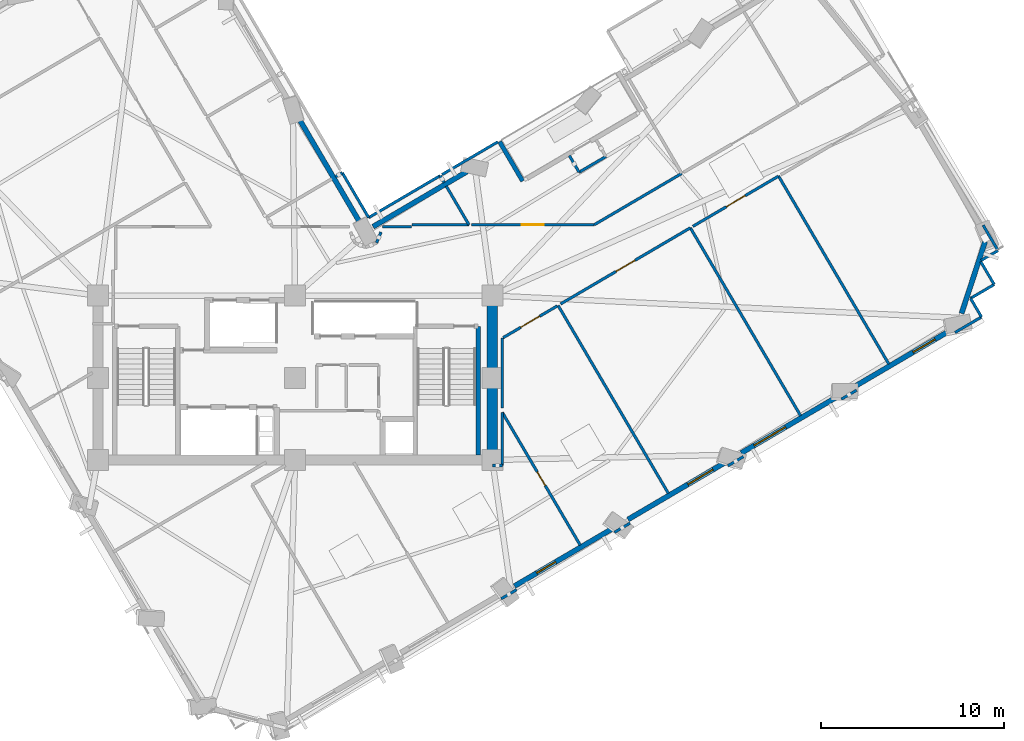
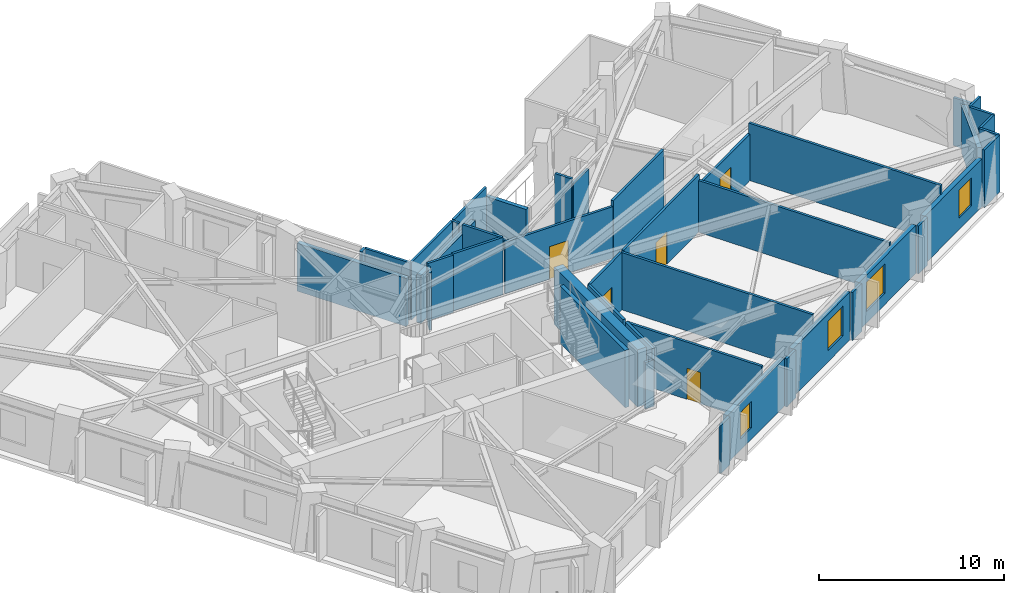
# One storey, part 6 of 12: 43 walls, 5 doors, 4 windows, 9 openings.
"""IFC4 building model written with IfcOpenShell, lengths in metres."""

from ifc_helpers import new_model, si_unit, direction, frame, frame_2d, origin, place, context, subcontext, project, spatial, rectangle, extrude, material, layer, layer_set, type_object, element, fill, save


model = new_model("IFC4")

# Units and contexts
model_context = context("Model", 3, precision=1e-05, world=origin(), true_north=direction((0.0, 1.0)))
body_context = subcontext(model_context, "Body", "Model", "MODEL_VIEW")
ifc_project = project(units=[si_unit("LENGTHUNIT", "METRE"), si_unit("AREAUNIT", "SQUARE_METRE"), si_unit("VOLUMEUNIT", "CUBIC_METRE"), si_unit("PLANEANGLEUNIT", "RADIAN"), si_unit("MASSUNIT", "GRAM", prefix="KILO")], contexts=[model_context])

# Site, building, storey
site_placement = place(None, origin())
site = spatial("IfcSite", under=ifc_project, at=site_placement, CompositionType="ELEMENT")
building_placement = place(site_placement, origin())
building = spatial("IfcBuilding", under=site, at=building_placement, Name="Gaonmaruhae Medical Tower", CompositionType="ELEMENT")
storey_placement = place(building_placement, frame((0.0, 0.0, 153.800048828125)))
storey = spatial("IfcBuildingStorey", under=building, at=storey_placement, Name="L36", CompositionType="ELEMENT", Elevation=153.800048828125)

# Walls
ifc_material_1 = material(Name="Concrete C50/60", Category="concrete")
ifc_layer_1 = layer(ifc_material_1, 0.550048828125)
ifc_layer_set_1 = layer_set([ifc_layer_1], Name="Concrete C50/60")
wall_type_1 = type_object("IfcWallType", Name="CW-550 Mid-High Core Shear Wall", PredefinedType="SHEAR", material=ifc_layer_set_1)
wall_1_placement = place(storey_placement, frame((35.60009765625, 7.800048828125, 0.0), z_axis=(0.0, 0.0, 1.0), x_axis=(0.0, 1.0, 0.0)))
element("IfcWall", 1, at=wall_1_placement, inside=storey, type_object=wall_type_1, Name="L36 Core Shear Wall CSW-E1", PredefinedType="SHEAR", context=body_context, shape_type="SweptSolid", body=[
    extrude(rectangle(XDim=9.0, YDim=0.550048828125, at=frame_2d((4.5, 0.0))), origin(), (0.0, 0.0, 1.0), 3.780029296875),
])
ifc_material_2 = material(Name="Precast concrete C45/55", Category="concrete")
ifc_layer_2 = layer(ifc_material_2, 0.239990234375)
ifc_layer_set_2 = layer_set([ifc_layer_2], Name="Precast concrete C45/55")
wall_type_2 = type_object("IfcWallType", Name="EW-240 Ribbon & Shelter Insulated Precast Wall", PredefinedType="SOLIDWALL", material=ifc_layer_set_2)
wall_2_placement = place(storey_placement, frame((36.000244140625, 25.234375, 0.0), z_axis=(0.0, 0.0, 1.0), x_axis=(0.506012674175, -0.862526042259, 0.0)))
element("IfcWall", 2, at=wall_2_placement, inside=storey, type_object=wall_type_2, Name="L36 Recessed Terrace Enclosure Wall TERL", PredefinedType="SOLIDWALL", context=body_context, shape_type="SweptSolid", body=[
    extrude(rectangle(XDim=2.500244140625, YDim=0.239990234375, at=frame_2d((1.25, 0.0))), origin(), (0.0, 0.0, 1.0), 3.1650390625),
])

# Wall, opening, window
ifc_layer_3 = layer(ifc_material_2, 0.280029296875)
ifc_layer_set_3 = layer_set([ifc_layer_3], Name="Precast concrete C45/55")
wall_type_3 = type_object("IfcWallType", Name="EW-280 Upper Precast Masonry-Frame Facade Wall", PredefinedType="SOLIDWALL", material=ifc_layer_set_3)
wall_3_placement = place(storey_placement, frame((42.17578125, 4.03466796875, 0.0), z_axis=(0.0, 0.0, 1.0), x_axis=(-0.862519418653, -0.5060239643, 0.0)))
wall_3 = element("IfcWall", 3, at=wall_3_placement, inside=storey, type_object=wall_type_3, Name="L36 Precast Masonry-Frame Wall S03-S04", PredefinedType="SOLIDWALL", context=body_context, shape_type="SweptSolid", body=[
    extrude(rectangle(XDim=6.214111328125, YDim=0.280029296875, at=frame_2d((3.10693359375, 0.0))), origin(), (0.0, 0.0, 1.0), 3.1650390625),
])
opening_1_placement = place(wall_3_placement, frame((3.597412109375, 0.0, 0.75)))
opening_1 = element("IfcOpeningElement", 4, at=opening_1_placement, cuts=wall_3, Name="Opening WN-05", PredefinedType="OPENING", context=body_context, shape_type="SweptSolid", body=[
    extrude(rectangle(XDim=1.199951171875, YDim=1.75, at=frame_2d((0.60009765625, 0.875))), frame((0.0, 0.14990234375, 0.0), z_axis=(0.0, -1.0, 0.0), x_axis=(1.0, 0.0, 0.0)), (0.0, 0.0, 1.0), 0.300048828125),
])
ifc_material_3 = material(Name="Anodised aluminium and Low-E double glazing", Category="aluminium")
window_type_1 = type_object("IfcWindowType", Name="WN-05 Support & Staff Punched Window 1200x1750", PartitioningType="SINGLE_PANEL", PredefinedType="WINDOW", material=ifc_material_3)
window_1_placement = place(opening_1_placement, origin())
window_1 = element("IfcWindow", 5, at=window_1_placement, inside=storey, type_object=window_type_1, Name="L36 Modular Facade Window S03", OverallHeight=1.75, OverallWidth=1.199951171875, PartitioningType="SINGLE_PANEL", PredefinedType="WINDOW", context=body_context, shape_type="SweptSolid", body=[
    extrude(rectangle(XDim=1.199951171875, YDim=1.75, at=frame_2d((0.60009765625, 0.875))), frame((0.0, 0.030029296875, 0.0), z_axis=(0.0, -1.0, 0.0), x_axis=(1.0, 0.0, 0.0)), (0.0, 0.0, 1.0), 0.06005859375),
])
fill(opening_1, window_1)

wall_4_placement = place(storey_placement, frame((48.386474609375, 7.678466796875, 0.0), z_axis=(0.0, 0.0, 1.0), x_axis=(-0.862526965114, -0.506011101115, 0.0)))
wall_4 = element("IfcWall", 6, at=wall_4_placement, inside=storey, type_object=wall_type_3, Name="L36 Precast Masonry-Frame Wall S04-S05", PredefinedType="SOLIDWALL", context=body_context, shape_type="SweptSolid", body=[
    extrude(rectangle(XDim=6.208984375, YDim=0.280029296875, at=frame_2d((3.1044921875, 0.0))), origin(), (0.0, 0.0, 1.0), 3.1650390625),
])
opening_2_placement = place(wall_4_placement, frame((0.802490234375, 0.0, 0.75)))
opening_2 = element("IfcOpeningElement", 7, at=opening_2_placement, cuts=wall_4, Name="Opening WN-01", PredefinedType="OPENING", context=body_context, shape_type="SweptSolid", body=[
    extrude(rectangle(XDim=1.60009765625, YDim=1.949951171875, at=frame_2d((0.800048828125, 0.97509765625))), frame((0.0, 0.14990234375, 0.0), z_axis=(0.0, -1.0, 0.0), x_axis=(1.0, 0.0, 0.0)), (0.0, 0.0, 1.0), 0.300048828125),
])
window_type_2 = type_object("IfcWindowType", Name="WN-01 Ward Punched Acoustic Window 1600x1950", PartitioningType="SINGLE_PANEL", PredefinedType="WINDOW", material=ifc_material_3)
window_2_placement = place(opening_2_placement, origin())
window_2 = element("IfcWindow", 8, at=window_2_placement, inside=storey, type_object=window_type_2, Name="L36 Modular Facade Window S04", OverallHeight=1.949951171875, OverallWidth=1.60009765625, PartitioningType="SINGLE_PANEL", PredefinedType="WINDOW", context=body_context, shape_type="SweptSolid", body=[
    extrude(rectangle(XDim=1.60009765625, YDim=1.949951171875, at=frame_2d((0.800048828125, 0.97509765625))), frame((0.0, 0.030029296875, 0.0), z_axis=(0.0, -1.0, 0.0), x_axis=(1.0, 0.0, 0.0)), (0.0, 0.0, 1.0), 0.06005859375),
])
fill(opening_2, window_2)

wall_5_placement = place(storey_placement, frame((54.603271484375, 11.32568359375, 0.0), z_axis=(0.0, 0.0, 1.0), x_axis=(-0.862523077898, -0.506017727055, 0.0)))
wall_5 = element("IfcWall", 9, at=wall_5_placement, inside=storey, type_object=wall_type_3, Name="L36 Precast Masonry-Frame Wall S05-S06", PredefinedType="SOLIDWALL", context=body_context, shape_type="SweptSolid", body=[
    extrude(rectangle(XDim=6.218017578125, YDim=0.280029296875, at=frame_2d((3.10888671875, 0.0))), origin(), (0.0, 0.0, 1.0), 3.1650390625),
])
opening_3_placement = place(wall_5_placement, frame((3.40478515625, 0.0, 0.75)))
opening_3 = element("IfcOpeningElement", 10, at=opening_3_placement, cuts=wall_5, Name="Opening WN-02", PredefinedType="OPENING", context=body_context, shape_type="SweptSolid", body=[
    extrude(rectangle(XDim=2.0, YDim=1.949951171875, at=frame_2d((1.0, 0.97509765625))), frame((0.0, 0.14990234375, 0.0), z_axis=(0.0, -1.0, 0.0), x_axis=(1.0, 0.0, 0.0)), (0.0, 0.0, 1.0), 0.300048828125),
])
window_type_3 = type_object("IfcWindowType", Name="WN-02 Double-Bed Ward Punched Window 2000x1950", PartitioningType="SINGLE_PANEL", PredefinedType="WINDOW", material=ifc_material_3)
window_3_placement = place(opening_3_placement, origin())
window_3 = element("IfcWindow", 11, at=window_3_placement, inside=storey, type_object=window_type_3, Name="L36 Modular Facade Window S05", OverallHeight=1.949951171875, OverallWidth=2.0, PartitioningType="SINGLE_PANEL", PredefinedType="WINDOW", context=body_context, shape_type="SweptSolid", body=[
    extrude(rectangle(XDim=2.0, YDim=1.949951171875, at=frame_2d((1.0, 0.97509765625))), frame((0.0, 0.030029296875, 0.0), z_axis=(0.0, -1.0, 0.0), x_axis=(1.0, 0.0, 0.0)), (0.0, 0.0, 1.0), 0.06005859375),
])
fill(opening_3, window_3)

wall_6_placement = place(storey_placement, frame((60.82666015625, 14.97705078125, 0.0), z_axis=(0.0, 0.0, 1.0), x_axis=(-0.862513753674, -0.50603362015, 0.0)))
wall_6 = element("IfcWall", 12, at=wall_6_placement, inside=storey, type_object=wall_type_3, Name="L36 Precast Masonry-Frame Wall S06-S07", PredefinedType="SOLIDWALL", context=body_context, shape_type="SweptSolid", body=[
    extrude(rectangle(XDim=6.242431640625, YDim=0.280029296875, at=frame_2d((3.12109375, 0.0))), origin(), (0.0, 0.0, 1.0), 3.1650390625),
])
opening_4_placement = place(wall_6_placement, frame((1.1201171875, 0.0, 0.75)))
opening_4 = element("IfcOpeningElement", 13, at=opening_4_placement, cuts=wall_6, Name="Opening WN-03", PredefinedType="OPENING", context=body_context, shape_type="SweptSolid", body=[
    extrude(rectangle(XDim=1.39990234375, YDim=1.85009765625, at=frame_2d((0.699951171875, 0.925048828125))), frame((0.0, 0.14990234375, 0.0), z_axis=(0.0, -1.0, 0.0), x_axis=(1.0, 0.0, 0.0)), (0.0, 0.0, 1.0), 0.300048828125),
])
window_type_4 = type_object("IfcWindowType", Name="WN-03 Isolation Ward Punched Window 1400x1850", PartitioningType="SINGLE_PANEL", PredefinedType="WINDOW", material=ifc_material_3)
window_4_placement = place(opening_4_placement, origin())
window_4 = element("IfcWindow", 14, at=window_4_placement, inside=storey, type_object=window_type_4, Name="L36 Modular Facade Window S06", OverallHeight=1.85009765625, OverallWidth=1.39990234375, PartitioningType="SINGLE_PANEL", PredefinedType="WINDOW", context=body_context, shape_type="SweptSolid", body=[
    extrude(rectangle(XDim=1.39990234375, YDim=1.85009765625, at=frame_2d((0.699951171875, 0.925048828125))), frame((0.0, 0.030029296875, 0.0), z_axis=(0.0, -1.0, 0.0), x_axis=(1.0, 0.0, 0.0)), (0.0, 0.0, 1.0), 0.06005859375),
])
fill(opening_4, window_4)

# Walls
wall_7_placement = place(storey_placement, frame((62.595703125, 19.76220703125, 0.0), z_axis=(0.0, 0.0, 1.0), x_axis=(-0.311576824248, -0.95022096514, 0.0)))
element("IfcWall", 15, at=wall_7_placement, inside=storey, type_object=wall_type_3, Name="L36 Precast Masonry-Frame Wall S07-E01", PredefinedType="SOLIDWALL", context=body_context, shape_type="SweptSolid", body=[
    extrude(rectangle(XDim=4.14501953125, YDim=0.280029296875, at=frame_2d((2.072509765625, 0.0))), origin(), (0.0, 0.0, 1.0), 3.1650390625),
])
wall_8_placement = place(storey_placement, frame((29.069091796875, 20.57666015625, 0.0), z_axis=(0.0, 0.0, 1.0), x_axis=(0.862522283586, 0.506019080981, 0.0)))
element("IfcWall", 16, at=wall_8_placement, inside=storey, type_object=wall_type_3, Name="L36 Precast Masonry-Frame Wall EN03-KN01", PredefinedType="SOLIDWALL", context=body_context, shape_type="SweptSolid", body=[
    extrude(rectangle(XDim=5.9599609375, YDim=0.280029296875, at=frame_2d((2.97998046875, 0.0))), origin(), (0.0, 0.0, 1.0), 3.1650390625),
])
wall_9_placement = place(storey_placement, frame((28.41015625, 20.7021484375, 0.0), z_axis=(0.0, 0.0, 1.0), x_axis=(-0.50604756903, 0.862505569767, 0.0)))
element("IfcWall", 17, at=wall_9_placement, inside=storey, type_object=wall_type_3, Name="L36 Precast Masonry-Frame Wall KN01-NE01", PredefinedType="SOLIDWALL", context=body_context, shape_type="SweptSolid", body=[
    extrude(rectangle(XDim=6.760009765625, YDim=0.280029296875, at=frame_2d((3.3798828125, 0.0))), origin(), (0.0, 0.0, 1.0), 3.1650390625),
])

# Wall, opening, door
ifc_material_4 = material(Name="Gypsum board partition", Category="gypsum")
ifc_layer_4 = layer(ifc_material_4, 0.14990234375)
ifc_layer_set_4 = layer_set([ifc_layer_4], Name="Gypsum board partition")
wall_type_4 = type_object("IfcWallType", Name="PW-150 Rated Clinical Corridor Partition", PredefinedType="PARTITIONING", material=ifc_layer_set_4)
wall_10_placement = place(storey_placement, frame((36.14990234375, 10.405029296875, 0.0), z_axis=(0.0, 0.0, 1.0), x_axis=(0.506105969003, -0.862471302792, 0.0)))
wall_10 = element("IfcWall", 18, at=wall_10_placement, inside=storey, type_object=wall_type_4, Name="L36 Interior Partition L36-SUP03-12", PredefinedType="PARTITIONING", context=body_context, shape_type="SweptSolid", body=[
    extrude(rectangle(XDim=8.42919921875, YDim=0.14990234375, at=frame_2d((4.214599609375, 0.0))), origin(), (0.0, 0.0, 1.0), 3.780029296875),
])
opening_5_placement = place(wall_10_placement, frame((3.78466796875, 0.0, 0.0)))
opening_5 = element("IfcOpeningElement", 19, at=opening_5_placement, cuts=wall_10, Name="Opening AD-01", PredefinedType="OPENING", context=body_context, shape_type="SweptSolid", body=[
    extrude(rectangle(XDim=0.860107421875, YDim=2.06005859375, at=frame_2d((0.43017578125, 1.030029296875))), frame((0.0, 0.0849609375, 0.0), z_axis=(0.0, -1.0, 0.0), x_axis=(1.0, 0.0, 0.0)), (0.0, 0.0, 1.0), 0.169921875),
])
ifc_material_5 = material(Name="Powder-coated steel access door", Category="steel")
door_type_1 = type_object("IfcDoorType", Name="AD-01 Riser & Closet Access Fire Door 860x2060", OperationType="NOTDEFINED", PredefinedType="DOOR", material=ifc_material_5)
door_1_placement = place(opening_5_placement, origin())
door_1 = element("IfcDoor", 20, at=door_1_placement, inside=storey, type_object=door_type_1, Name="L36 Clinical Biomedical Charting Office Sliding Door", OperationType="SLIDING_TO_LEFT", OverallHeight=2.06005859375, OverallWidth=0.860107421875, PredefinedType="DOOR", context=body_context, shape_type="SweptSolid", body=[
    extrude(rectangle(XDim=0.860107421875, YDim=2.06005859375, at=frame_2d((0.43017578125, 1.030029296875))), frame((0.0, 0.02490234375, 0.0), z_axis=(0.0, -1.0, 0.0), x_axis=(1.0, 0.0, 0.0)), (0.0, 0.0, 1.0), 0.050048828125),
])
fill(opening_5, door_1)

# Walls
wall_11_placement = place(storey_placement, frame((36.931884765625, 0.69189453125, 0.0), z_axis=(0.0, 0.0, 1.0), x_axis=(-0.862209784974, -0.506551366295, 0.0)))
element("IfcWall", 21, at=wall_11_placement, inside=storey, type_object=wall_type_4, Name="L36 Interior Partition L36-SUP03-13", PredefinedType="PARTITIONING", context=body_context, shape_type="SweptSolid", body=[
    extrude(rectangle(XDim=0.978759765625, YDim=0.14990234375, at=frame_2d((0.4892578125, 0.0))), origin(), (0.0, 0.0, 1.0), 3.1650390625),
])
wall_12_placement = place(storey_placement, frame((35.60009765625, 7.5, 0.0), z_axis=(0.0, 0.0, 1.0), x_axis=(1.0, 0.0, 0.0)))
element("IfcWall", 22, at=wall_12_placement, inside=storey, type_object=wall_type_4, Name="L36 Interior Partition L36-SUP03-14", PredefinedType="PARTITIONING", context=body_context, shape_type="SweptSolid", body=[
    extrude(rectangle(XDim=0.5498046875, YDim=0.14990234375, at=frame_2d((0.27490234375, 0.0))), origin(), (0.0, 0.0, 1.0), 3.06494140625),
])
wall_13_placement = place(storey_placement, frame((36.14990234375, 7.5, 0.0), z_axis=(0.0, 0.0, 1.0), x_axis=(0.0, 1.0, 0.0)))
element("IfcWall", 23, at=wall_13_placement, inside=storey, type_object=wall_type_4, Name="L36 Interior Partition L36-SUP03-15", PredefinedType="PARTITIONING", context=body_context, shape_type="SweptSolid", body=[
    extrude(rectangle(XDim=2.905029296875, YDim=0.14990234375, at=frame_2d((1.45263671875, 0.0))), origin(), (0.0, 0.0, 1.0), 3.780029296875),
])
wall_14_placement = place(storey_placement, frame((39.2060546875, 16.262939453125, 0.0), z_axis=(0.0, 0.0, 1.0), x_axis=(0.506011364749, -0.86252681045, 0.0)))
element("IfcWall", 24, at=wall_14_placement, inside=storey, type_object=wall_type_4, Name="L36 Interior Partition L36-SUP04-16", PredefinedType="PARTITIONING", context=body_context, shape_type="SweptSolid", body=[
    extrude(rectangle(XDim=11.9345703125, YDim=0.14990234375, at=frame_2d((5.96728515625, 0.0))), origin(), (0.0, 0.0, 1.0), 3.780029296875),
])
wall_15_placement = place(storey_placement, frame((43.14794921875, 4.337890625, 0.0), z_axis=(0.0, 0.0, 1.0), x_axis=(-0.862616526178, -0.505858407822, 0.0)))
element("IfcWall", 25, at=wall_15_placement, inside=storey, type_object=wall_type_4, Name="L36 Interior Partition L36-SUP04-17", PredefinedType="PARTITIONING", context=body_context, shape_type="SweptSolid", body=[
    extrude(rectangle(XDim=0.9921875, YDim=0.14990234375, at=frame_2d((0.49609375, 0.0))), origin(), (0.0, 0.0, 1.0), 3.1650390625),
])
wall_16_placement = place(storey_placement, frame((36.14990234375, 10.652099609375, 0.0), z_axis=(0.0, 0.0, 1.0), x_axis=(0.0, 1.0, 0.0)))
element("IfcWall", 26, at=wall_16_placement, inside=storey, type_object=wall_type_4, Name="L36 Interior Partition L36-SUP04-18", PredefinedType="PARTITIONING", context=body_context, shape_type="SweptSolid", body=[
    extrude(rectangle(XDim=3.81787109375, YDim=0.14990234375, at=frame_2d((1.908935546875, 0.0))), origin(), (0.0, 0.0, 1.0), 3.780029296875),
])

# Wall, opening, door
wall_17_placement = place(storey_placement, frame((36.193115234375, 14.4951171875, 0.0), z_axis=(0.0, 0.0, 1.0), x_axis=(0.862456823748, 0.506130642395, 0.0)))
wall_17 = element("IfcWall", 27, at=wall_17_placement, inside=storey, type_object=wall_type_4, Name="L36 Interior Partition L36-SUP04-19", PredefinedType="PARTITIONING", context=body_context, shape_type="SweptSolid", body=[
    extrude(rectangle(XDim=3.443603515625, YDim=0.14990234375, at=frame_2d((1.7216796875, 0.0))), origin(), (0.0, 0.0, 1.0), 3.780029296875),
])
opening_6_placement = place(wall_17_placement, frame((1.121826171875, 0.0, 0.0)))
opening_6 = element("IfcOpeningElement", 28, at=opening_6_placement, cuts=wall_17, Name="Opening CD-02", PredefinedType="OPENING", context=body_context, shape_type="SweptSolid", body=[
    extrude(rectangle(XDim=1.199951171875, YDim=2.14990234375, at=frame_2d((0.60009765625, 1.074951171875))), frame((0.0, 0.0849609375, 0.0), z_axis=(0.0, -1.0, 0.0), x_axis=(1.0, 0.0, 0.0)), (0.0, 0.0, 1.0), 0.169921875),
])
ifc_material_6 = material(Name="Antimicrobial laminate timber fire door", Category="wood")
door_type_2 = type_object("IfcDoorType", Name="CD-02 Clinical Treatment & Procedure Door 1200x2150", OperationType="NOTDEFINED", PredefinedType="DOOR", material=ifc_material_6)
door_2_placement = place(opening_6_placement, origin())
door_2 = element("IfcDoor", 29, at=door_2_placement, inside=storey, type_object=door_type_2, Name="L36 Clinical Biomedical Charting Office Door", OperationType="SINGLE_SWING_LEFT", OverallHeight=2.14990234375, OverallWidth=1.199951171875, PredefinedType="DOOR", context=body_context, shape_type="SweptSolid", body=[
    extrude(rectangle(XDim=1.199951171875, YDim=2.14990234375, at=frame_2d((0.60009765625, 1.074951171875))), frame((0.0, 0.02490234375, 0.0), z_axis=(0.0, -1.0, 0.0), x_axis=(1.0, 0.0, 0.0)), (0.0, 0.0, 1.0), 0.050048828125),
])
fill(opening_6, door_2)

wall_18_placement = place(storey_placement, frame((39.343994140625, 16.343994140625, 0.0), z_axis=(0.0, 0.0, 1.0), x_axis=(0.862497317199, 0.506061634413, 0.0)))
wall_18 = element("IfcWall", 30, at=wall_18_placement, inside=storey, type_object=wall_type_4, Name="L36 Interior Partition L36-SUP05-20", PredefinedType="PARTITIONING", context=body_context, shape_type="SweptSolid", body=[
    extrude(rectangle(XDim=8.239990234375, YDim=0.14990234375, at=frame_2d((4.1201171875, 0.0))), origin(), (0.0, 0.0, 1.0), 3.780029296875),
])
opening_7_placement = place(wall_18_placement, frame((3.52001953125, 0.0, 0.0)))
opening_7 = element("IfcOpeningElement", 31, at=opening_7_placement, cuts=wall_18, Name="Opening CD-02", PredefinedType="OPENING", context=body_context, shape_type="SweptSolid", body=[
    extrude(rectangle(XDim=1.199951171875, YDim=2.14990234375, at=frame_2d((0.60009765625, 1.074951171875))), frame((0.0, 0.0849609375, 0.0), z_axis=(0.0, -1.0, 0.0), x_axis=(1.0, 0.0, 0.0)), (0.0, 0.0, 1.0), 0.169921875),
])
door_3_placement = place(opening_7_placement, origin())
door_3 = element("IfcDoor", 32, at=door_3_placement, inside=storey, type_object=door_type_2, Name="L36 Clinical Biomedical Charting Office Door", OperationType="SINGLE_SWING_RIGHT", OverallHeight=2.14990234375, OverallWidth=1.199951171875, PredefinedType="DOOR", context=body_context, shape_type="SweptSolid", body=[
    extrude(rectangle(XDim=1.199951171875, YDim=2.14990234375, at=frame_2d((0.60009765625, 1.074951171875))), frame((0.0, 0.02490234375, 0.0), z_axis=(0.0, -1.0, 0.0), x_axis=(1.0, 0.0, 0.0)), (0.0, 0.0, 1.0), 0.050048828125),
])
fill(opening_7, door_3)

# Walls
wall_19_placement = place(storey_placement, frame((46.450927734375, 20.513916015625, 0.0), z_axis=(0.0, 0.0, 1.0), x_axis=(0.506011364749, -0.86252681045, 0.0)))
element("IfcWall", 33, at=wall_19_placement, inside=storey, type_object=wall_type_4, Name="L36 Interior Partition L36-SUP05-21", PredefinedType="PARTITIONING", context=body_context, shape_type="SweptSolid", body=[
    extrude(rectangle(XDim=11.9345703125, YDim=0.14990234375, at=frame_2d((5.96728515625, 0.0))), origin(), (0.0, 0.0, 1.0), 3.4150390625),
])
wall_20_placement = place(storey_placement, frame((49.35595703125, 7.98095703125, 0.0), z_axis=(0.0, 0.0, 1.0), x_axis=(-0.862289281712, -0.506416029214, 0.0)))
element("IfcWall", 34, at=wall_20_placement, inside=storey, type_object=wall_type_4, Name="L36 Interior Partition L36-SUP05-22", PredefinedType="PARTITIONING", context=body_context, shape_type="SweptSolid", body=[
    extrude(rectangle(XDim=0.9892578125, YDim=0.14990234375, at=frame_2d((0.49462890625, 0.0))), origin(), (0.0, 0.0, 1.0), 3.1650390625),
])

# Wall, opening, door
wall_21_placement = place(storey_placement, frame((46.589111328125, 20.594970703125, 0.0), z_axis=(0.0, 0.0, 1.0), x_axis=(0.862575050657, 0.505929127433, 0.0)))
wall_21 = element("IfcWall", 35, at=wall_21_placement, inside=storey, type_object=wall_type_4, Name="L36 Interior Partition L36-SUP06-23", PredefinedType="PARTITIONING", context=body_context, shape_type="SweptSolid", body=[
    extrude(rectangle(XDim=5.439453125, YDim=0.14990234375, at=frame_2d((2.7197265625, 0.0))), origin(), (0.0, 0.0, 1.0), 3.06494140625),
])
opening_8_placement = place(wall_21_placement, frame((2.119873046875, 0.0, 0.0)))
opening_8 = element("IfcOpeningElement", 36, at=opening_8_placement, cuts=wall_21, Name="Opening CD-02", PredefinedType="OPENING", context=body_context, shape_type="SweptSolid", body=[
    extrude(rectangle(XDim=1.199951171875, YDim=2.14990234375, at=frame_2d((0.60009765625, 1.074951171875))), frame((0.0, 0.0849609375, 0.0), z_axis=(0.0, -1.0, 0.0), x_axis=(1.0, 0.0, 0.0)), (0.0, 0.0, 1.0), 0.169921875),
])
door_4_placement = place(opening_8_placement, origin())
door_4 = element("IfcDoor", 37, at=door_4_placement, inside=storey, type_object=door_type_2, Name="L36 Clinical Biomedical Charting Office Door", OperationType="SINGLE_SWING_RIGHT", OverallHeight=2.14990234375, OverallWidth=1.199951171875, PredefinedType="DOOR", context=body_context, shape_type="SweptSolid", body=[
    extrude(rectangle(XDim=1.199951171875, YDim=2.14990234375, at=frame_2d((0.60009765625, 1.074951171875))), frame((0.0, 0.02490234375, 0.0), z_axis=(0.0, -1.0, 0.0), x_axis=(1.0, 0.0, 0.0)), (0.0, 0.0, 1.0), 0.050048828125),
])
fill(opening_8, door_4)

# Walls
wall_22_placement = place(storey_placement, frame((51.281005859375, 23.346923828125, 0.0), z_axis=(0.0, 0.0, 1.0), x_axis=(0.506072235551, -0.862491097, 0.0)))
element("IfcWall", 38, at=wall_22_placement, inside=storey, type_object=wall_type_4, Name="L36 Interior Partition L36-SUP06-24", PredefinedType="PARTITIONING", context=body_context, shape_type="SweptSolid", body=[
    extrude(rectangle(XDim=11.93505859375, YDim=0.14990234375, at=frame_2d((5.967529296875, 0.0))), origin(), (0.0, 0.0, 1.0), 3.780029296875),
])
wall_23_placement = place(storey_placement, frame((55.55908203125, 11.6201171875, 0.0), z_axis=(0.0, 0.0, 1.0), x_axis=(-0.862565795498, -0.505944906524, 0.0)))
element("IfcWall", 39, at=wall_23_placement, inside=storey, type_object=wall_type_4, Name="L36 Interior Partition L36-SUP06-25", PredefinedType="PARTITIONING", context=body_context, shape_type="SweptSolid", body=[
    extrude(rectangle(XDim=0.972900390625, YDim=0.14990234375, at=frame_2d((0.486328125, 0.0))), origin(), (0.0, 0.0, 1.0), 3.1650390625),
])
wall_24_placement = place(storey_placement, frame((63.094970703125, 17.408935546875, 0.0), z_axis=(0.0, 0.0, 1.0), x_axis=(-0.86254858152, -0.50597425282, 0.0)))
element("IfcWall", 40, at=wall_24_placement, inside=storey, type_object=wall_type_4, Name="L36 Interior Partition L36-SUP07-26", PredefinedType="PARTITIONING", context=body_context, shape_type="SweptSolid", body=[
    extrude(rectangle(XDim=1.500244140625, YDim=0.14990234375, at=frame_2d((0.75, 0.0))), origin(), (0.0, 0.0, 1.0), 3.780029296875),
])
wall_25_placement = place(storey_placement, frame((61.801025390625, 16.64990234375, 0.0), z_axis=(0.0, 0.0, 1.0), x_axis=(0.506250785242, -0.862386306966, 0.0)))
element("IfcWall", 41, at=wall_25_placement, inside=storey, type_object=wall_type_4, Name="L36 Interior Partition L36-SUP07-27", PredefinedType="PARTITIONING", context=body_context, shape_type="SweptSolid", body=[
    extrude(rectangle(XDim=1.17919921875, YDim=0.14990234375, at=frame_2d((0.589599609375, 0.0))), origin(), (0.0, 0.0, 1.0), 3.780029296875),
])
wall_26_placement = place(storey_placement, frame((62.39794921875, 15.633056640625, 0.0), z_axis=(0.0, 0.0, 1.0), x_axis=(-0.862395181282, -0.50623566775, 0.0)))
element("IfcWall", 42, at=wall_26_placement, inside=storey, type_object=wall_type_4, Name="L36 Interior Partition L36-SUP07-28", PredefinedType="PARTITIONING", context=body_context, shape_type="SweptSolid", body=[
    extrude(rectangle(XDim=1.68701171875, YDim=0.14990234375, at=frame_2d((0.843505859375, 0.0))), origin(), (0.0, 0.0, 1.0), 3.780029296875),
])
wall_27_placement = place(storey_placement, frame((62.487060546875, 20.658935546875, 0.0), z_axis=(0.0, 0.0, 1.0), x_axis=(0.506065741171, -0.862494907587, 0.0)))
element("IfcWall", 43, at=wall_27_placement, inside=storey, type_object=wall_type_4, Name="L36 Interior Partition L36-SUP07-31", PredefinedType="PARTITIONING", context=body_context, shape_type="SweptSolid", body=[
    extrude(rectangle(XDim=1.6103515625, YDim=0.14990234375, at=frame_2d((0.80517578125, 0.0))), origin(), (0.0, 0.0, 1.0), 3.1650390625),
])
wall_28_placement = place(storey_placement, frame((63.302001953125, 19.27001953125, 0.0), z_axis=(0.0, 0.0, 1.0), x_axis=(-0.862413623719, -0.506204248918, 0.0)))
element("IfcWall", 44, at=wall_28_placement, inside=storey, type_object=wall_type_4, Name="L36 Interior Partition L36-SUP07-32", PredefinedType="PARTITIONING", context=body_context, shape_type="SweptSolid", body=[
    extrude(rectangle(XDim=1.072509765625, YDim=0.14990234375, at=frame_2d((0.5361328125, 0.0))), origin(), (0.0, 0.0, 1.0), 3.780029296875),
])
wall_29_placement = place(storey_placement, frame((62.35693359375, 18.666015625, 0.0), z_axis=(0.0, 0.0, 1.0), x_axis=(0.506295344111, -0.86236014781, 0.0)))
element("IfcWall", 45, at=wall_29_placement, inside=storey, type_object=wall_type_4, Name="L36 Interior Partition L36-SUP07-33", PredefinedType="PARTITIONING", context=body_context, shape_type="SweptSolid", body=[
    extrude(rectangle(XDim=1.457763671875, YDim=0.14990234375, at=frame_2d((0.72900390625, 0.0))), origin(), (0.0, 0.0, 1.0), 3.780029296875),
])
wall_30_placement = place(storey_placement, frame((32.74609375, 23.37109375, 0.0), z_axis=(0.0, 0.0, 1.0), x_axis=(0.505964477981, -0.862554315404, 0.0)))
element("IfcWall", 46, at=wall_30_placement, inside=storey, type_object=wall_type_4, Name="L36 Interior Partition L36-IE01-57", PredefinedType="PARTITIONING", context=body_context, shape_type="SweptSolid", body=[
    extrude(rectangle(XDim=0.434814453125, YDim=0.14990234375, at=frame_2d((0.21728515625, 0.0))), origin(), (0.0, 0.0, 1.0), 3.780029296875),
])
wall_31_placement = place(storey_placement, frame((33.08203125, 22.798095703125, 0.0), z_axis=(0.0, 0.0, 1.0), x_axis=(0.505798601348, -0.862651595301, 0.0)))
element("IfcWall", 47, at=wall_31_placement, inside=storey, type_object=wall_type_4, Name="L36 Interior Partition L36-IE01-58", PredefinedType="PARTITIONING", context=body_context, shape_type="SweptSolid", body=[
    extrude(rectangle(XDim=2.455322265625, YDim=0.14990234375, at=frame_2d((1.2275390625, 0.0))), origin(), (0.0, 0.0, 1.0), 3.780029296875),
])
wall_32_placement = place(storey_placement, frame((34.323974609375, 20.679931640625, 0.0), z_axis=(0.0, 0.0, 1.0), x_axis=(-1.0, 0.0, 0.0)))
element("IfcWall", 48, at=wall_32_placement, inside=storey, type_object=wall_type_4, Name="L36 Interior Partition L36-IE01-59", PredefinedType="PARTITIONING", context=body_context, shape_type="SweptSolid", body=[
    extrude(rectangle(XDim=3.1240234375, YDim=0.14990234375, at=frame_2d((1.56201171875, 0.0))), origin(), (0.0, 0.0, 1.0), 3.780029296875),
])
wall_33_placement = place(storey_placement, frame((31.169921875, 20.580078125, 0.0), z_axis=(0.0, 0.0, 1.0), x_axis=(-0.999999811869, -0.000613402737, 0.0)))
element("IfcWall", 49, at=wall_33_placement, inside=storey, type_object=wall_type_4, Name="L36 Interior Partition L36-IE01-60", PredefinedType="PARTITIONING", context=body_context, shape_type="SweptSolid", body=[
    extrude(rectangle(XDim=1.592041015625, YDim=0.14990234375, at=frame_2d((0.7958984375, 0.0))), origin(), (0.0, 0.0, 1.0), 3.780029296875),
])
wall_34_placement = place(storey_placement, frame((29.5048828125, 20.280029296875, 0.0), z_axis=(0.0, 0.0, 1.0), x_axis=(-0.382520885967, -0.923946844683, 0.0)))
element("IfcWall", 50, at=wall_34_placement, inside=storey, type_object=wall_type_4, Name="L36 Interior Partition L36-IE01-61", PredefinedType="PARTITIONING", context=body_context, shape_type="SweptSolid", body=[
    extrude(rectangle(XDim=0.6376953125, YDim=0.14990234375, at=frame_2d((0.31884765625, 0.0))), origin(), (0.0, 0.0, 1.0), 3.780029296875),
])
wall_35_placement = place(storey_placement, frame((27.011962890625, 23.31201171875, 0.0), z_axis=(0.0, 0.0, 1.0), x_axis=(0.863127684472, 0.504985742668, 0.0)))
element("IfcWall", 51, at=wall_35_placement, inside=storey, type_object=wall_type_4, Name="L36 Interior Partition L36-IE01-68", PredefinedType="PARTITIONING", context=body_context, shape_type="SweptSolid", body=[
    extrude(rectangle(XDim=0.435546875, YDim=0.14990234375, at=frame_2d((0.2177734375, 0.0))), origin(), (0.0, 0.0, 1.0), 3.780029296875),
])
wall_36_placement = place(storey_placement, frame((27.387939453125, 23.531982421875, 0.0), z_axis=(0.0, 0.0, 1.0), x_axis=(0.506042653576, -0.862508453733, 0.0)))
element("IfcWall", 52, at=wall_36_placement, inside=storey, type_object=wall_type_4, Name="L36 Interior Partition L36-IE01-69", PredefinedType="PARTITIONING", context=body_context, shape_type="SweptSolid", body=[
    extrude(rectangle(XDim=2.849853515625, YDim=0.14990234375, at=frame_2d((1.4248046875, 0.0))), origin(), (0.0, 0.0, 1.0), 3.780029296875),
])
wall_37_placement = place(storey_placement, frame((28.830078125, 21.073974609375, 0.0), z_axis=(0.0, 0.0, 1.0), x_axis=(0.862551504048, 0.505969270672, 0.0)))
element("IfcWall", 53, at=wall_37_placement, inside=storey, type_object=wall_type_4, Name="L36 Interior Partition L36-IE01-70", PredefinedType="PARTITIONING", context=body_context, shape_type="SweptSolid", body=[
    extrude(rectangle(XDim=4.5400390625, YDim=0.14990234375, at=frame_2d((2.27001953125, 0.0))), origin(), (0.0, 0.0, 1.0), 3.780029296875),
])
wall_38_placement = place(storey_placement, frame((39.822998046875, 24.468017578125, 0.0), z_axis=(0.0, 0.0, 1.0), x_axis=(0.506503852919, -0.862237697493, 0.0)))
element("IfcWall", 54, at=wall_38_placement, inside=storey, type_object=wall_type_4, Name="L36 Interior Partition L36-IE02-71", PredefinedType="PARTITIONING", context=body_context, shape_type="SweptSolid", body=[
    extrude(rectangle(XDim=1.05419921875, YDim=0.14990234375, at=frame_2d((0.527099609375, 0.0))), origin(), (0.0, 0.0, 1.0), 3.780029296875),
])
wall_39_placement = place(storey_placement, frame((40.35693359375, 23.55908203125, 0.0), z_axis=(0.0, 0.0, 1.0), x_axis=(0.86258341397, 0.505914868277, 0.0)))
element("IfcWall", 55, at=wall_39_placement, inside=storey, type_object=wall_type_4, Name="L36 Interior Partition L36-IE02-72", PredefinedType="PARTITIONING", context=body_context, shape_type="SweptSolid", body=[
    extrude(rectangle(XDim=1.69970703125, YDim=0.14990234375, at=frame_2d((0.849853515625, 0.0))), origin(), (0.0, 0.0, 1.0), 3.4150390625),
])
wall_40_placement = place(storey_placement, frame((45.97802734375, 23.493896484375, 0.0), z_axis=(0.0, 0.0, 1.0), x_axis=(-0.862551983002, -0.505968454175, 0.0)))
element("IfcWall", 56, at=wall_40_placement, inside=storey, type_object=wall_type_4, Name="L36 Interior Partition L36-IE02-75", PredefinedType="PARTITIONING", context=body_context, shape_type="SweptSolid", body=[
    extrude(rectangle(XDim=5.5615234375, YDim=0.14990234375, at=frame_2d((2.78076171875, 0.0))), origin(), (0.0, 0.0, 1.0), 3.780029296875),
])

# Wall, opening, door
wall_41_placement = place(storey_placement, frame((41.180908203125, 20.679931640625, 0.0), z_axis=(0.0, 0.0, 1.0), x_axis=(-1.0, 0.0, 0.0)))
wall_41 = element("IfcWall", 57, at=wall_41_placement, inside=storey, type_object=wall_type_4, Name="L36 Interior Partition L36-IE02-76", PredefinedType="PARTITIONING", context=body_context, shape_type="SweptSolid", body=[
    extrude(rectangle(XDim=6.716796875, YDim=0.14990234375, at=frame_2d((3.3583984375, 0.0))), origin(), (0.0, 0.0, 1.0), 3.4150390625),
])
opening_9_placement = place(wall_41_placement, frame((2.758544921875, 0.0, 0.0)))
opening_9 = element("IfcOpeningElement", 58, at=opening_9_placement, cuts=wall_41, Name="Opening CD-02", PredefinedType="OPENING", context=body_context, shape_type="SweptSolid", body=[
    extrude(rectangle(XDim=1.199951171875, YDim=2.14990234375, at=frame_2d((0.60009765625, 1.074951171875))), frame((0.0, 0.0849609375, 0.0), z_axis=(0.0, -1.0, 0.0), x_axis=(1.0, 0.0, 0.0)), (0.0, 0.0, 1.0), 0.169921875),
])
door_5_placement = place(opening_9_placement, origin())
door_5 = element("IfcDoor", 59, at=door_5_placement, inside=storey, type_object=door_type_2, Name="L36 Acute Treatment Examination Room Door", OperationType="SINGLE_SWING_LEFT", OverallHeight=2.14990234375, OverallWidth=1.199951171875, PredefinedType="DOOR", context=body_context, shape_type="SweptSolid", body=[
    extrude(rectangle(XDim=1.199951171875, YDim=2.14990234375, at=frame_2d((0.60009765625, 1.074951171875))), frame((0.0, 0.02490234375, 0.0), z_axis=(0.0, -1.0, 0.0), x_axis=(1.0, 0.0, 0.0)), (0.0, 0.0, 1.0), 0.050048828125),
])
fill(opening_9, door_5)

# Walls
wall_42_placement = place(storey_placement, frame((32.84912109375, 23.431884765625, 0.0), z_axis=(0.0, 0.0, 1.0), x_axis=(0.862544548307, 0.50598112829, 0.0)))
element("IfcWall", 60, at=wall_42_placement, inside=storey, type_object=wall_type_4, Name="L36 Interior Partition L36-IE02-77", PredefinedType="PARTITIONING", context=body_context, shape_type="SweptSolid", body=[
    extrude(rectangle(XDim=3.5439453125, YDim=0.14990234375, at=frame_2d((1.77197265625, 0.0))), origin(), (0.0, 0.0, 1.0), 3.780029296875),
])
ifc_layer_5 = layer(ifc_material_1, 0.239990234375)
ifc_layer_set_5 = layer_set([ifc_layer_5], Name="Concrete C50/60")
wall_type_5 = type_object("IfcWallType", Name="SW-240 Dogleg Stair Tight Shaft Wall", PredefinedType="SOLIDWALL", material=ifc_layer_set_5)
wall_43_placement = place(storey_placement, frame((34.830078125, 15.1201171875, 0.0), z_axis=(0.0, 0.0, 1.0), x_axis=(0.0, -1.0, 0.0)))
element("IfcWall", 61, at=wall_43_placement, inside=storey, type_object=wall_type_5, Name="L36 ST-02 Stair Shaft Wall SHW-ST-02-E", PredefinedType="SOLIDWALL", context=body_context, shape_type="SweptSolid", body=[
    extrude(rectangle(XDim=7.045166015625, YDim=0.239990234375, at=frame_2d((3.5224609375, 0.0))), origin(), (0.0, 0.0, 1.0), 3.780029296875),
])

save(model, "model.ifc")
